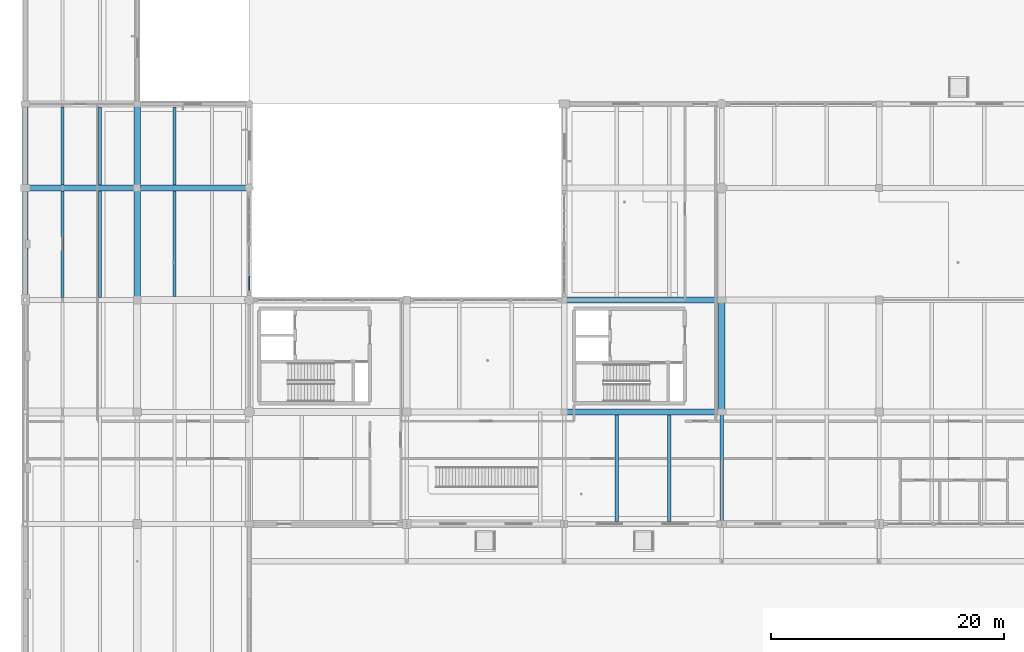
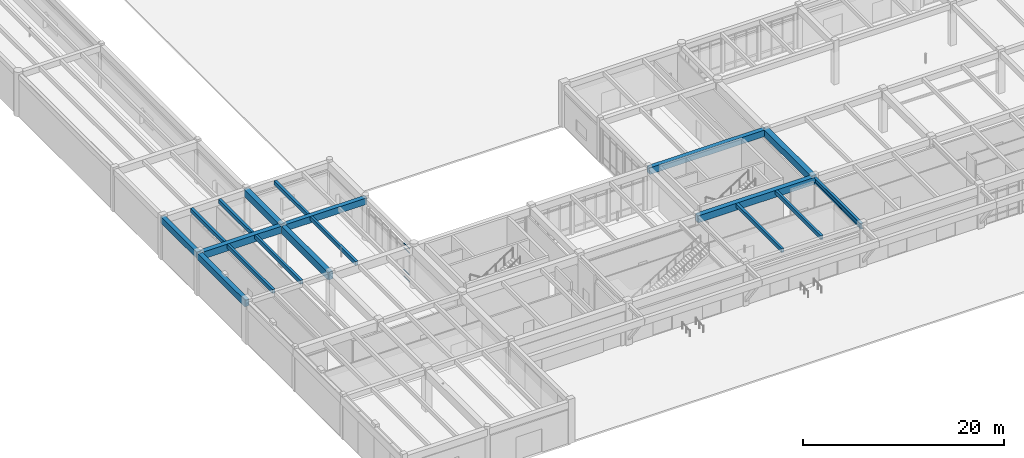
# One storey, part 10 of 138: 18 beams, 4 members, 1 element without a shape of its own.
"""IFC4 building model written with IfcOpenShell, lengths in metres."""

import ifcopenshell
import ifcopenshell.guid

model = None  # the IFC model being written
_history = None  # IfcOwnerHistory: only IFC2X3 demands one
_inside = {}  # id of a spatial element -> (the spatial element, [elements in it])
_under = {}  # id of a project, library or spatial element -> (it, [spatial elements below it])
_declared = {}  # id of a project -> (the project, [libraries it declares])
_typed = {}  # id of a type object -> (the type object, [elements of that type])
_made_of = {}  # id of a material, layer set ... -> (it, [elements and type objects made of it])


def new_model(schema):
    """Start an empty IFC model of exactly this schema.

    Asked for "IFC4X3", IfcOpenShell would pick the latest addendum, in which some entities
    have other attributes; the version numbers below select the first issue.
    IFC2X3 requires an IfcOwnerHistory on every rooted entity: one is made here for all.
    """
    global model, _history
    if schema == "IFC4X3":
        model = ifcopenshell.file(schema_version=(4, 3, 0, 0))
    else:
        model = ifcopenshell.file(schema=schema)
    _inside.clear()
    _under.clear()
    _declared.clear()
    _typed.clear()
    _made_of.clear()
    _history = None
    if model.schema == "IFC2X3":
        org = make("IfcOrganization", Name="unknown")
        user = make(
            "IfcPersonAndOrganization",
            ThePerson=make("IfcPerson", FamilyName="unknown"),
            TheOrganization=org,
        )
        app = make(
            "IfcApplication",
            ApplicationDeveloper=org,
            Version="unknown",
            ApplicationFullName="unknown",
            ApplicationIdentifier="unknown",
        )
        _history = make(
            "IfcOwnerHistory",
            OwningUser=user,
            OwningApplication=app,
            ChangeAction="ADDED",
            CreationDate=0,
        )
    return model


def make(cls, **values):
    """One entity of the class cls with the attributes given. An attribute that is None is left unset."""
    return model.create_entity(
        cls, **{name: value for name, value in values.items() if value is not None}
    )


def rooted(cls, **values):
    """An entity with a GlobalId (a new one), such as an element, a storey or a relation."""
    return make(cls, GlobalId=ifcopenshell.guid.new(), OwnerHistory=_history, **values)


def si_unit(unit_type, name, prefix=None):
    """IfcSIUnit, for example si_unit("LENGTHUNIT", "METRE", prefix="MILLI")."""
    return make("IfcSIUnit", UnitType=unit_type, Prefix=prefix, Name=name)


def assignment(units):
    """IfcUnitAssignment: the units of a project."""
    return None if units is None else make("IfcUnitAssignment", Units=units)


def point(xyz):
    """IfcCartesianPoint."""
    return None if xyz is None else make("IfcCartesianPoint", Coordinates=xyz)


def direction(xyz):
    """IfcDirection."""
    return None if xyz is None else make("IfcDirection", DirectionRatios=xyz)


def frame(location, z_axis=None, x_axis=None):
    """IfcAxis2Placement3D, a coordinate frame: its origin and axes. An axis left out is left unset."""
    return make(
        "IfcAxis2Placement3D",
        Location=point(location),
        Axis=direction(z_axis),
        RefDirection=direction(x_axis),
    )


def frame_2d(location, x_axis=None):
    """IfcAxis2Placement2D, a coordinate frame in the plane: its origin and x axis."""
    return make(
        "IfcAxis2Placement2D", Location=point(location), RefDirection=direction(x_axis)
    )


def origin():
    """The frame at (0, 0, 0) with its axes left unset."""
    return frame((0.0, 0.0, 0.0))


def origin_2d():
    """The frame at (0, 0) in the plane with its x axis left unset."""
    return frame_2d((0.0, 0.0))


def place(relative_to, where):
    """IfcLocalPlacement: puts the frame where relative to a parent placement (None: the world)."""
    return make(
        "IfcLocalPlacement", PlacementRelTo=relative_to, RelativePlacement=where
    )


def context(
    kind, dimensions, precision=None, world=None, true_north=None, identifier=None
):
    """IfcGeometricRepresentationContext, for example the 3D "Model" context."""
    return make(
        "IfcGeometricRepresentationContext",
        ContextIdentifier=identifier,
        ContextType=kind,
        CoordinateSpaceDimension=dimensions,
        Precision=precision,
        WorldCoordinateSystem=world,
        TrueNorth=true_north,
    )


def subcontext(parent, identifier, kind, view, scale=None):
    """IfcGeometricRepresentationSubContext, for example "Body" below "Model"."""
    return make(
        "IfcGeometricRepresentationSubContext",
        ContextIdentifier=identifier,
        ContextType=kind,
        ParentContext=parent,
        TargetScale=scale,
        TargetView=view,
    )


def project(units=None, contexts=None):
    """IfcProject with its units and contexts."""
    return rooted(
        "IfcProject",
        Name="project",
        RepresentationContexts=contexts,
        UnitsInContext=assignment(units),
    )


def spatial(cls, under=None, at=None, **own):
    """A site, building, storey or space (cls), placed at a placement, below another one or the project."""
    s = rooted(cls, ObjectPlacement=at, **own)
    if under is not None:
        _under.setdefault(under.id(), (under, []))[1].append(s)
    return s


def profile(cls, at=None, kind="AREA", **sizes):
    """A parametric profile (cls). Its sizes go by their IFC names, for example OverallWidth=200.0."""
    return make(cls, ProfileType=kind, Position=at, **sizes)


def rectangle(**sizes):
    """IfcRectangleProfileDef."""
    return profile("IfcRectangleProfileDef", **sizes)


def hollow_rectangle(**sizes):
    """IfcRectangleHollowProfileDef."""
    return profile("IfcRectangleHollowProfileDef", **sizes)


def i_section(**sizes):
    """IfcIShapeProfileDef."""
    return profile("IfcIShapeProfileDef", **sizes)


def extrude(swept, where, along, depth):
    """IfcExtrudedAreaSolid: the profile swept, set in the frame where, extruded along a direction by depth."""
    return make(
        "IfcExtrudedAreaSolid",
        SweptArea=swept,
        Position=where,
        ExtrudedDirection=direction(along),
        Depth=depth,
    )


def shape(context_of_items, identifier, shape_type, items):
    """IfcShapeRepresentation: the items that make up one representation, for example the "Body"."""
    return make(
        "IfcShapeRepresentation",
        ContextOfItems=context_of_items,
        RepresentationIdentifier=identifier,
        RepresentationType=shape_type,
        Items=items,
    )


def material(Name=None, Category=None):
    """IfcMaterial."""
    return make("IfcMaterial", Name=Name, Category=Category)


def layer(
    of_material, thickness, ventilated=None, Name=None, Category=None, Priority=None
):
    """IfcMaterialLayer: one layer of a wall or slab, of a material (None: an air gap)."""
    return make(
        "IfcMaterialLayer",
        Material=of_material,
        LayerThickness=thickness,
        IsVentilated=ventilated,
        Name=Name,
        Category=Category,
        Priority=Priority,
    )


def layer_set(layers, Name=None):
    """IfcMaterialLayerSet."""
    return make("IfcMaterialLayerSet", MaterialLayers=layers, LayerSetName=Name)


def material_profile(
    of_material, cross_section, Name=None, Category=None, Priority=None
):
    """IfcMaterialProfile: a cross section and its material."""
    return make(
        "IfcMaterialProfile",
        Name=Name,
        Material=of_material,
        Profile=cross_section,
        Priority=Priority,
        Category=Category,
    )


def profile_set(profiles, Name=None, composite=None):
    """IfcMaterialProfileSet."""
    return make(
        "IfcMaterialProfileSet",
        Name=Name,
        MaterialProfiles=profiles,
        CompositeProfile=composite,
    )


def made_of(thing, what):
    """Note that an element or type object is made of a material, layer set ...; save() writes the relation."""
    if what is not None:
        _made_of.setdefault(what.id(), (what, []))[1].append(thing)
    return thing


def type_object(cls, material=None, **own):
    """A type object (cls), such as IfcWallType, which elements share."""
    return made_of(rooted(cls, **own), material)


def element(
    cls,
    number,
    at=None,
    inside=None,
    cuts=None,
    type_object=None,
    material=None,
    context=None,
    identifier="Body",
    shape_type=None,
    held_by="IfcProductDefinitionShape",
    body=None,
    shapes=None,
    **own,
):
    """One element of the class cls, such as IfcWall. Its Tag is "e" and its number.

    at: its placement. inside: the storey or other place that contains it. cuts: it is an
    opening in that element (IfcRelVoidsElement). A single representation is given by context,
    identifier, shape_type and body (its items); several are given by shapes. held_by: the class
    of the entity that holds the representations. save() writes the other relations.
    """
    e = rooted(cls, Tag="e%d" % number, ObjectPlacement=at, **own)
    if body is not None:
        shapes = [shape(context, identifier, shape_type, body)]
    if shapes is not None:
        e.Representation = make(held_by, Representations=shapes)
    if inside is not None:
        _inside.setdefault(inside.id(), (inside, []))[1].append(e)
    if cuts is not None:
        rooted(
            "IfcRelVoidsElement", RelatingBuildingElement=cuts, RelatedOpeningElement=e
        )
    if type_object is not None:
        _typed.setdefault(type_object.id(), (type_object, []))[1].append(e)
    return made_of(e, material)


def aggregate(whole, parts):
    """IfcRelAggregates: a whole, such as a stair, and the parts it consists of."""
    return rooted("IfcRelAggregates", RelatingObject=whole, RelatedObjects=parts)


def save(model, path):
    """Write the relations noted so far, then the file.

    IfcRelAggregates (storeys below a building ...), IfcRelContainedInSpatialStructure (elements
    in a storey), IfcRelDefinesByType, IfcRelAssociatesMaterial and IfcRelDeclares: one each for
    every whole, place, type object, material and project.
    """
    for whole, parts in _under.values():
        aggregate(whole, parts)
    for where, things in _inside.values():
        rooted(
            "IfcRelContainedInSpatialStructure",
            RelatedElements=things,
            RelatingStructure=where,
        )
    for kind, things in _typed.values():
        rooted("IfcRelDefinesByType", RelatedObjects=things, RelatingType=kind)
    for what, things in _made_of.values():
        rooted("IfcRelAssociatesMaterial", RelatedObjects=things, RelatingMaterial=what)
    for by, libraries in _declared.values():
        rooted("IfcRelDeclares", RelatingContext=by, RelatedDefinitions=libraries)
    model.write(path)


model = new_model("IFC4")

# Units and contexts
model_context = context("Model", 3, precision=1e-05, world=origin(), true_north=direction((0.0, 1.0)))
body_context = subcontext(model_context, "Body", "Model", "MODEL_VIEW")
ifc_project = project(units=[si_unit("LENGTHUNIT", "METRE"), si_unit("AREAUNIT", "SQUARE_METRE"), si_unit("VOLUMEUNIT", "CUBIC_METRE"), si_unit("PLANEANGLEUNIT", "RADIAN"), si_unit("MASSUNIT", "GRAM", prefix="KILO")], contexts=[model_context])

# Site, building, storey
site_placement = place(None, origin())
site = spatial("IfcSite", under=ifc_project, at=site_placement, CompositionType="ELEMENT")
building_placement = place(site_placement, origin())
building = spatial("IfcBuilding", under=site, at=building_placement, Name="Fikremerkos Civic Library", CompositionType="ELEMENT")
storey_placement = place(building_placement, origin())
storey = spatial("IfcBuildingStorey", under=building, at=storey_placement, Name="L00", CompositionType="ELEMENT", Elevation=0.0)

# Curtain wall, members
ifc_material_1 = material(Name="Anodized aluminium Frame", Category="aluminium")
ifc_layer = layer(ifc_material_1, 0.159912109375, Name="Anodized aluminium Frame")
ifc_layer_set = layer_set([ifc_layer], Name="Anodized aluminium Frame")
curtain_wall_type = type_object("IfcCurtainWallType", Name="Unitised curtain wall CW-05 3800x4100", PredefinedType="USERDEFINED", material=ifc_layer_set)
curtain_wall_placement = place(storey_placement, origin())
curtain_wall = element("IfcCurtainWall", 1, at=curtain_wall_placement, inside=storey, type_object=curtain_wall_type, Name="Unitised curtain wall CW-05 L00 #5", ObjectType="UNITISED CURTAIN WALL", PredefinedType="USERDEFINED")
ifc_material_profile_1 = material_profile(ifc_material_1, hollow_rectangle(XDim=0.06005859375, YDim=0.10009765625, WallThickness=0.00390625, at=origin_2d()), Name="ALU 100x60x4")
ifc_profile_set_1 = profile_set([ifc_material_profile_1], Name="Anodized aluminium Frame")
member_type = type_object("IfcMemberType", Name="Curtain transom CWT-03 ALU 100x60x4", PredefinedType="USERDEFINED", material=ifc_profile_set_1)
member_1_placement = place(storey_placement, frame((19.199951171875, 33.224609375, 0.030029296875), z_axis=(0.0, -1.0, 0.0), x_axis=(1.0, 0.0, 0.0)))
member_1 = element("IfcMember", 2, at=member_1_placement, type_object=member_type, Name="CW-05 transom 3.1", ObjectType="TRANSOM", PredefinedType="USERDEFINED", context=body_context, shape_type="SweptSolid", body=[
    extrude(hollow_rectangle(XDim=0.06005859375, YDim=0.10009765625, WallThickness=0.00390625, at=origin_2d()), origin(), (0.0, 0.0, 1.0), 1.211669921875),
])
member_2_placement = place(storey_placement, frame((19.199951171875, 33.224609375, 0.85009765625), z_axis=(0.0, -1.0, 0.0), x_axis=(1.0, 0.0, 0.0)))
member_2 = element("IfcMember", 3, at=member_2_placement, type_object=member_type, Name="CW-05 transom 3.2", ObjectType="TRANSOM", PredefinedType="USERDEFINED", context=body_context, shape_type="SweptSolid", body=[
    extrude(hollow_rectangle(XDim=0.06005859375, YDim=0.10009765625, WallThickness=0.00390625, at=origin_2d()), origin(), (0.0, 0.0, 1.0), 1.211669921875),
])
member_3_placement = place(storey_placement, frame((19.199951171875, 33.224609375, 3.52001953125), z_axis=(0.0, -1.0, 0.0), x_axis=(1.0, 0.0, 0.0)))
member_3 = element("IfcMember", 4, at=member_3_placement, type_object=member_type, Name="CW-05 transom 3.3", ObjectType="TRANSOM", PredefinedType="USERDEFINED", context=body_context, shape_type="SweptSolid", body=[
    extrude(hollow_rectangle(XDim=0.06005859375, YDim=0.10009765625, WallThickness=0.00390625, at=origin_2d()), origin(), (0.0, 0.0, 1.0), 1.211669921875),
])
member_4_placement = place(storey_placement, frame((19.199951171875, 33.224609375, 4.0400390625), z_axis=(0.0, -1.0, 0.0), x_axis=(1.0, 0.0, 0.0)))
member_4 = element("IfcMember", 5, at=member_4_placement, type_object=member_type, Name="CW-05 transom 3.4", ObjectType="TRANSOM", PredefinedType="USERDEFINED", context=body_context, shape_type="SweptSolid", body=[
    extrude(hollow_rectangle(XDim=0.06005859375, YDim=0.10009765625, WallThickness=0.00390625, at=origin_2d()), origin(), (0.0, 0.0, 1.0), 1.211669921875),
])
aggregate(curtain_wall, [member_1, member_2, member_3, member_4])

# Beams
ifc_material_2 = material(Name="Concrete C40/50", Category="concrete")
ifc_material_profile_2 = material_profile(ifc_material_2, rectangle(XDim=0.280029296875, YDim=0.47998046875, at=origin_2d()), Name="RC 280x480")
ifc_profile_set_2 = profile_set([ifc_material_profile_2], Name="Concrete C40/50")
beam_type_1 = type_object("IfcBeamType", Name="Floor joist JS-04 RC 280x480", PredefinedType="JOIST", material=ifc_profile_set_2)
for number, where, z_axis, x_axis, name in (
    (6, (3.199951171875, 31.39990234375, 4.860107421875), (0.0, 1.0, 0.0), (-1.0, 0.0, 0.0), "Floor joist JS-04 L00 #275"),
    (7, (6.39990234375, 31.39990234375, 4.860107421875), (0.0, 1.0, 0.0), (-1.0, 0.0, 0.0), "Floor joist JS-04 L00 #276"),
):
    element("IfcBeam", number, at=place(storey_placement, frame(where, z_axis=z_axis, x_axis=x_axis)), inside=storey, type_object=beam_type_1, Name=name, PredefinedType="JOIST", context=body_context, shape_type="SweptSolid", body=[
        extrude(rectangle(XDim=0.280029296875, YDim=0.47998046875, at=origin_2d()), origin(), (0.0, 0.0, 1.0), 9.125),
    ])
for number, where, z_axis, x_axis, name in (
    (8, (3.199951171875, 41.074951171875, 4.860107421875), (0.0, 1.0, 0.0), (-1.0, 0.0, 0.0), "Floor joist JS-04 L00 #277"),
    (9, (6.39990234375, 41.074951171875, 4.860107421875), (0.0, 1.0, 0.0), (-1.0, 0.0, 0.0), "Floor joist JS-04 L00 #278"),
):
    element("IfcBeam", number, at=place(storey_placement, frame(where, z_axis=z_axis, x_axis=x_axis)), inside=storey, type_object=beam_type_1, Name=name, PredefinedType="JOIST", context=body_context, shape_type="SweptSolid", body=[
        extrude(rectangle(XDim=0.280029296875, YDim=0.47998046875, at=origin_2d()), origin(), (0.0, 0.0, 1.0), 6.675048828125),
    ])
beam_1_placement = place(storey_placement, frame((12.800048828125, 31.5, 4.860107421875), z_axis=(0.0, 1.0, 0.0), x_axis=(-1.0, 0.0, 0.0)))
element("IfcBeam", 10, at=beam_1_placement, inside=storey, type_object=beam_type_1, Name="Floor joist JS-04 L00 #296", PredefinedType="JOIST", context=body_context, shape_type="SweptSolid", body=[
    extrude(rectangle(XDim=0.280029296875, YDim=0.47998046875, at=origin_2d()), origin(), (0.0, 0.0, 1.0), 9.050048828125),
])
beam_2_placement = place(storey_placement, frame((12.800048828125, 41.050048828125, 4.860107421875), z_axis=(0.0, 1.0, 0.0), x_axis=(-1.0, 0.0, 0.0)))
element("IfcBeam", 11, at=beam_2_placement, inside=storey, type_object=beam_type_1, Name="Floor joist JS-04 L00 #298", PredefinedType="JOIST", context=body_context, shape_type="SweptSolid", body=[
    extrude(rectangle(XDim=0.280029296875, YDim=0.47998046875, at=origin_2d()), origin(), (0.0, 0.0, 1.0), 6.699951171875),
])
for number, where, z_axis, x_axis, name in (
    (12, (50.699951171875, 12.199951171875, 4.840087890625), (0.0, 1.0, 0.0), (-1.0, 0.0, 0.0), "Floor joist JS-04 L00 #304"),
    (13, (55.199951171875, 12.199951171875, 4.840087890625), (0.0, 1.0, 0.0), (-1.0, 0.0, 0.0), "Floor joist JS-04 L00 #305"),
):
    element("IfcBeam", number, at=place(storey_placement, frame(where, z_axis=z_axis, x_axis=x_axis)), inside=storey, type_object=beam_type_1, Name=name, PredefinedType="JOIST", context=body_context, shape_type="SweptSolid", body=[
        extrude(rectangle(XDim=0.280029296875, YDim=0.47998046875, at=origin_2d()), origin(), (0.0, 0.0, 1.0), 9.125),
    ])
ifc_material_profile_3 = material_profile(ifc_material_2, rectangle(XDim=0.550048828125, YDim=0.89990234375, at=origin_2d()), Name="RC 550x900")
ifc_profile_set_3 = profile_set([ifc_material_profile_3], Name="Concrete C40/50")
beam_type_2 = type_object("IfcBeamType", Name="Primary girder BM-02 RC 550x900", PredefinedType="BEAM", material=ifc_profile_set_3)
beam_3_placement = place(storey_placement, frame((9.60009765625, 31.199951171875, 4.64990234375), z_axis=(0.0, 1.0, 0.0), x_axis=(-1.0, 0.0, 0.0)))
element("IfcBeam", 14, at=beam_3_placement, inside=storey, type_object=beam_type_2, Name="Primary girder BM-02 L00 grid 2", PredefinedType="BEAM", context=body_context, shape_type="SweptSolid", body=[
    extrude(rectangle(XDim=0.550048828125, YDim=0.89990234375, at=origin_2d()), origin(), (0.0, 0.0, 1.0), 9.60009765625),
])
ifc_material_profile_4 = material_profile(ifc_material_2, rectangle(XDim=0.550048828125, YDim=0.85009765625, at=origin_2d()), Name="RC 550x850")
ifc_profile_set_4 = profile_set([ifc_material_profile_4], Name="Concrete C40/50")
beam_type_3 = type_object("IfcBeamType", Name="Primary girder BM-03 RC 550x850", PredefinedType="BEAM", material=ifc_profile_set_4)
beam_4_placement = place(storey_placement, frame((46.199951171875, 21.60009765625, 4.655029296875), z_axis=(1.0, 0.0, 0.0), x_axis=(0.0, 1.0, 0.0)))
element("IfcBeam", 15, at=beam_4_placement, inside=storey, type_object=beam_type_3, Name="Primary girder BM-03 L00 grid F", PredefinedType="BEAM", context=body_context, shape_type="SweptSolid", body=[
    extrude(rectangle(XDim=0.550048828125, YDim=0.85009765625, at=origin_2d()), origin(), (0.0, 0.0, 1.0), 13.5),
])
beam_5_placement = place(storey_placement, frame((0.0, 40.800048828125, 4.675048828125), z_axis=(1.0, 0.0, 0.0), x_axis=(0.0, 1.0, 0.0)))
element("IfcBeam", 16, at=beam_5_placement, inside=storey, type_object=beam_type_3, Name="Primary girder BM-03 L00 grid H", PredefinedType="BEAM", context=body_context, shape_type="SweptSolid", body=[
    extrude(rectangle(XDim=0.550048828125, YDim=0.85009765625, at=origin_2d()), origin(), (0.0, 0.0, 1.0), 9.60009765625),
])
beam_6_placement = place(storey_placement, frame((9.60009765625, 40.800048828125, 4.675048828125), z_axis=(0.0, 1.0, 0.0), x_axis=(-1.0, 0.0, 0.0)))
element("IfcBeam", 17, at=beam_6_placement, inside=storey, type_object=beam_type_3, Name="Primary girder BM-03 L00 grid 2", PredefinedType="BEAM", context=body_context, shape_type="SweptSolid", body=[
    extrude(rectangle(XDim=0.550048828125, YDim=0.85009765625, at=origin_2d()), origin(), (0.0, 0.0, 1.0), 7.199951171875),
])
ifc_material_profile_5 = material_profile(ifc_material_2, rectangle(XDim=0.5, YDim=0.800048828125, at=origin_2d()), Name="RC 500x800")
ifc_profile_set_5 = profile_set([ifc_material_profile_5], Name="Concrete C40/50")
beam_type_4 = type_object("IfcBeamType", Name="Primary girder BM-04 RC 500x800", PredefinedType="BEAM", material=ifc_profile_set_5)
beam_7_placement = place(storey_placement, frame((46.199951171875, 31.199951171875, 4.679931640625), z_axis=(1.0, 0.0, 0.0), x_axis=(0.0, 1.0, 0.0)))
element("IfcBeam", 18, at=beam_7_placement, inside=storey, type_object=beam_type_4, Name="Primary girder BM-04 L00 grid G", PredefinedType="BEAM", context=body_context, shape_type="SweptSolid", body=[
    extrude(rectangle(XDim=0.5, YDim=0.800048828125, at=origin_2d()), origin(), (0.0, 0.0, 1.0), 13.5),
])
beam_8_placement = place(storey_placement, frame((9.60009765625, 40.800048828125, 4.699951171875), z_axis=(1.0, 0.0, 0.0), x_axis=(0.0, 1.0, 0.0)))
element("IfcBeam", 19, at=beam_8_placement, inside=storey, type_object=beam_type_4, Name="Primary girder BM-04 L00 grid H", PredefinedType="BEAM", context=body_context, shape_type="SweptSolid", body=[
    extrude(rectangle(XDim=0.5, YDim=0.800048828125, at=origin_2d()), origin(), (0.0, 0.0, 1.0), 9.599853515625),
])
beam_9_placement = place(storey_placement, frame((0.0, 31.199951171875, 4.699951171875), z_axis=(0.0, 1.0, 0.0), x_axis=(-1.0, 0.0, 0.0)))
element("IfcBeam", 20, at=beam_9_placement, inside=storey, type_object=beam_type_4, Name="Primary girder BM-04 L00 grid 1", PredefinedType="BEAM", context=body_context, shape_type="SweptSolid", body=[
    extrude(rectangle(XDim=0.5, YDim=0.800048828125, at=origin_2d()), origin(), (0.0, 0.0, 1.0), 9.60009765625),
])
ifc_material_profile_6 = material_profile(ifc_material_2, rectangle(XDim=0.5, YDim=0.75, at=origin_2d()), Name="RC 500x750")
ifc_profile_set_6 = profile_set([ifc_material_profile_6], Name="Concrete C40/50")
beam_type_5 = type_object("IfcBeamType", Name="Primary girder BM-05 RC 500x750", PredefinedType="BEAM", material=ifc_profile_set_6)
beam_10_placement = place(storey_placement, frame((0.0, 40.800048828125, 4.72509765625), z_axis=(0.0, 1.0, 0.0), x_axis=(-1.0, 0.0, 0.0)))
element("IfcBeam", 21, at=beam_10_placement, inside=storey, type_object=beam_type_5, Name="Primary girder BM-05 L00 grid 1", PredefinedType="BEAM", context=body_context, shape_type="SweptSolid", body=[
    extrude(rectangle(XDim=0.5, YDim=0.75, at=origin_2d()), origin(), (0.0, 0.0, 1.0), 7.199951171875),
])
ifc_material_3 = material(Name="Steel S355", Category="steel")
ifc_material_profile_7 = material_profile(ifc_material_3, i_section(OverallWidth=0.300048828125, OverallDepth=0.64990234375, WebThickness=0.01611328125, FlangeThickness=0.031005859375, FilletRadius=0.027099609375, at=origin_2d()), Name="HEB 650")
ifc_profile_set_7 = profile_set([ifc_material_profile_7], Name="Steel S355")
beam_type_6 = type_object("IfcBeamType", Name="Primary girder BM-12 HEB 650", PredefinedType="BEAM", material=ifc_profile_set_7)
beam_11_placement = place(storey_placement, frame((59.699951171875, 12.0, 4.7548828125), z_axis=(0.0, 1.0, 0.0), x_axis=(-1.0, 0.0, 0.0)))
element("IfcBeam", 22, at=beam_11_placement, inside=storey, type_object=beam_type_6, Name="Primary girder BM-12 L00 grid 6", PredefinedType="BEAM", context=body_context, shape_type="SweptSolid", body=[
    extrude(i_section(OverallWidth=0.300048828125, OverallDepth=0.64990234375, WebThickness=0.01611328125, FlangeThickness=0.031005859375, FilletRadius=0.027099609375, at=origin_2d()), origin(), (0.0, 0.0, 1.0), 9.60009765625),
])
ifc_material_profile_8 = material_profile(ifc_material_2, rectangle(XDim=0.60009765625, YDim=0.85009765625, at=origin_2d()), Name="RC 600x850")
ifc_profile_set_8 = profile_set([ifc_material_profile_8], Name="Concrete C40/50")
beam_type_7 = type_object("IfcBeamType", Name="Primary girder BM-24 RC 600x850", PredefinedType="BEAM", material=ifc_profile_set_8)
beam_12_placement = place(storey_placement, frame((59.699951171875, 21.60009765625, 4.655029296875), z_axis=(0.0, 1.0, 0.0), x_axis=(-1.0, 0.0, 0.0)))
element("IfcBeam", 23, at=beam_12_placement, inside=storey, type_object=beam_type_7, Name="Primary girder BM-24 L00 grid 6", PredefinedType="BEAM", context=body_context, shape_type="SweptSolid", body=[
    extrude(rectangle(XDim=0.60009765625, YDim=0.85009765625, at=origin_2d()), origin(), (0.0, 0.0, 1.0), 9.599853515625),
])

save(model, "model.ifc")
